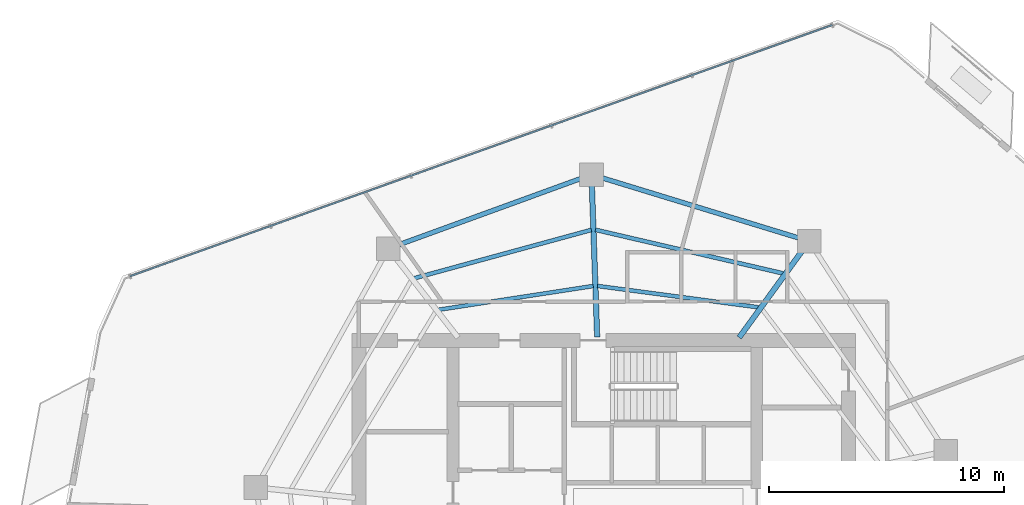
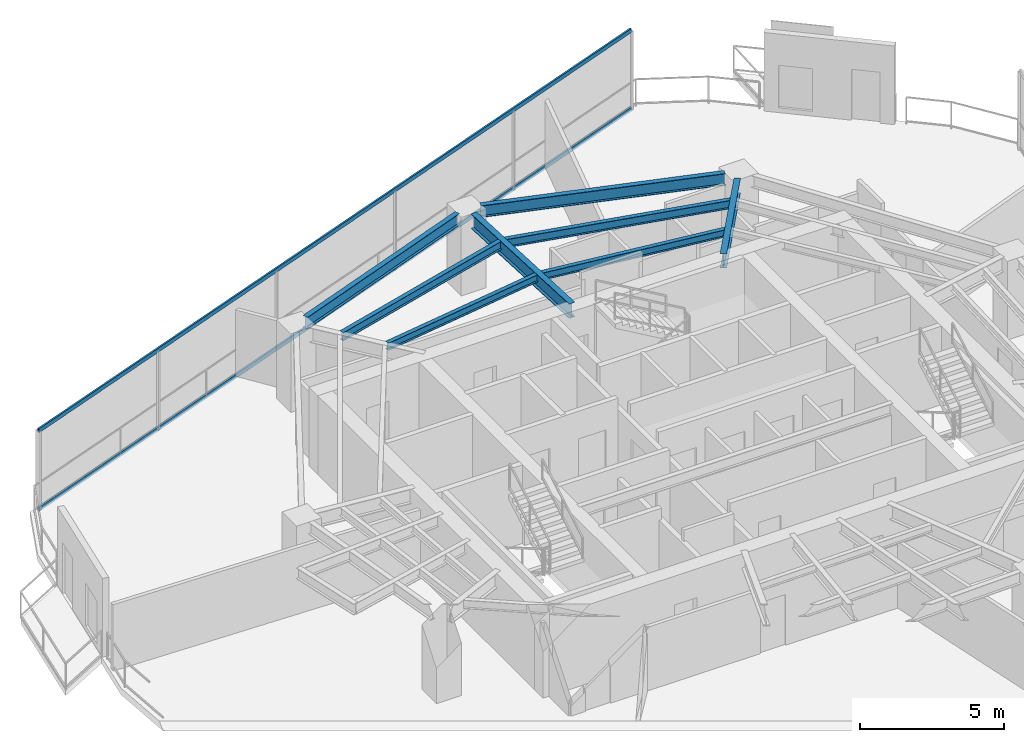
# One storey, part 13 of 21: 8 beams, 2 members, 1 element without a shape of its own.
"""IFC4 building model written with IfcOpenShell, lengths in metres."""

from ifc_helpers import new_model, si_unit, direction, frame, origin, origin_2d, place, context, subcontext, project, spatial, hollow_rectangle, i_section, extrude, material, layer, layer_set, material_profile, profile_set, type_object, element, aggregate, save


model = new_model("IFC4")

# Units and contexts
model_context = context("Model", 3, precision=1e-05, world=origin(), true_north=direction((0.0, 1.0)))
body_context = subcontext(model_context, "Body", "Model", "MODEL_VIEW")
ifc_project = project(units=[si_unit("LENGTHUNIT", "METRE"), si_unit("AREAUNIT", "SQUARE_METRE"), si_unit("VOLUMEUNIT", "CUBIC_METRE"), si_unit("PLANEANGLEUNIT", "RADIAN"), si_unit("MASSUNIT", "GRAM", prefix="KILO")], contexts=[model_context])

# Site, building, storey
site_placement = place(None, origin())
site = spatial("IfcSite", under=ifc_project, at=site_placement, CompositionType="ELEMENT")
building_placement = place(site_placement, origin())
building = spatial("IfcBuilding", under=site, at=building_placement, Name="Qarnah Convention Tower", CompositionType="ELEMENT")
storey_placement = place(building_placement, frame((0.0, 0.0, 140.10009765625)))
storey = spatial("IfcBuildingStorey", under=building, at=storey_placement, Name="L37", CompositionType="ELEMENT", Elevation=140.10009765625)

# Beams
ifc_material_1 = material(Name="Structural steel S355JR", Category="steel")
ifc_material_profile_1 = material_profile(ifc_material_1, i_section(OverallWidth=0.166015625, OverallDepth=0.31201171875, WebThickness=0.007080078125, FlangeThickness=0.010986328125, at=origin_2d()), Name="W310X45")
ifc_profile_set_1 = profile_set([ifc_material_profile_1], Name="Structural steel S355JR")
beam_type_1 = type_object("IfcBeamType", Name="BM-JST-W310", PredefinedType="JOIST", material=ifc_profile_set_1)
beam_1_placement = place(storey_placement, frame((43.7880859375, 35.60302734375, 3.163818359375), z_axis=(-0.991316211877, 0.131499688478, 0.0), x_axis=(-0.131499688478, -0.991316211877, 0.0)))
element("IfcBeam", 1, at=beam_1_placement, inside=storey, type_object=beam_type_1, Name="L37 joist BM-L37-IJST-02", PredefinedType="JOIST", context=body_context, shape_type="SweptSolid", body=[
    extrude(i_section(OverallWidth=0.166015625, OverallDepth=0.31201171875, WebThickness=0.007080078125, FlangeThickness=0.010986328125, at=origin_2d()), origin(), (0.0, 0.0, 1.0), 6.912109375),
])
beam_2_placement = place(storey_placement, frame((36.758056640625, 36.510009765625, 3.163818359375), z_axis=(-0.988429806813, -0.151678993285, 0.0), x_axis=(0.151678993285, -0.988429806813, 0.0)))
element("IfcBeam", 2, at=beam_2_placement, inside=storey, type_object=beam_type_1, Name="L37 joist BM-L37-IJST-03", PredefinedType="JOIST", context=body_context, shape_type="SweptSolid", body=[
    extrude(i_section(OverallWidth=0.166015625, OverallDepth=0.31201171875, WebThickness=0.007080078125, FlangeThickness=0.010986328125, at=origin_2d()), origin(), (0.0, 0.0, 1.0), 6.64599609375),
])
ifc_material_profile_2 = material_profile(ifc_material_1, i_section(OverallWidth=0.172119140625, OverallDepth=0.35595703125, WebThickness=0.007080078125, FlangeThickness=0.011962890625, at=origin_2d()), Name="W360X51")
ifc_profile_set_2 = profile_set([ifc_material_profile_2], Name="Structural steel S355JR")
beam_type_2 = type_object("IfcBeamType", Name="BM-JST-W360", PredefinedType="JOIST", material=ifc_profile_set_2)
beam_3_placement = place(storey_placement, frame((44.8310546875, 37.04296875, 3.141845703125), z_axis=(-0.974056627147, 0.226304412487, 0.0), x_axis=(-0.226304412487, -0.974056627147, 0.0)))
element("IfcBeam", 3, at=beam_3_placement, inside=storey, type_object=beam_type_2, Name="L37 joist BM-L37-SJST-02", PredefinedType="JOIST", context=body_context, shape_type="SweptSolid", body=[
    extrude(i_section(OverallWidth=0.172119140625, OverallDepth=0.35595703125, WebThickness=0.007080078125, FlangeThickness=0.011962890625, at=origin_2d()), origin(), (0.0, 0.0, 1.0), 8.192626953125),
])
beam_4_placement = place(storey_placement, frame((36.676025390625, 38.89306640625, 3.141845703125), z_axis=(-0.964679279523, -0.263427196127, 0.0), x_axis=(0.263427196127, -0.964679279523, 0.0)))
element("IfcBeam", 4, at=beam_4_placement, inside=storey, type_object=beam_type_2, Name="L37 joist BM-L37-SJST-03", PredefinedType="JOIST", context=body_context, shape_type="SweptSolid", body=[
    extrude(i_section(OverallWidth=0.172119140625, OverallDepth=0.35595703125, WebThickness=0.007080078125, FlangeThickness=0.011962890625, at=origin_2d()), origin(), (0.0, 0.0, 1.0), 7.8017578125),
])
ifc_material_profile_3 = material_profile(ifc_material_1, i_section(OverallWidth=0.22998046875, OverallDepth=0.617919921875, WebThickness=0.012939453125, FlangeThickness=0.02197265625, at=origin_2d()), Name="W610X140")
ifc_profile_set_3 = profile_set([ifc_material_profile_3], Name="Structural steel S355JR")
beam_type_3 = type_object("IfcBeamType", Name="BM-RAD-W610A", PredefinedType="BEAM", material=ifc_profile_set_3)
beam_5_placement = place(storey_placement, frame((42.955078125, 34.321044921875, 3.010986328125), z_axis=(0.58781027487, 0.808998813817, 0.0), x_axis=(-0.808998813817, 0.58781027487, 0.0)))
element("IfcBeam", 5, at=beam_5_placement, inside=storey, type_object=beam_type_3, Name="L37 beam BM-L37-RAD-02", PredefinedType="BEAM", context=body_context, shape_type="SweptSolid", body=[
    extrude(i_section(OverallWidth=0.22998046875, OverallDepth=0.617919921875, WebThickness=0.012939453125, FlangeThickness=0.02197265625, at=origin_2d()), origin(), (0.0, 0.0, 1.0), 4.57958984375),
])
beam_6_placement = place(storey_placement, frame((36.923095703125, 34.35009765625, 3.010986328125), z_axis=(-0.034938098977, 0.999389478252, 0.0), x_axis=(-0.999389478252, -0.034938098977, 0.0)))
element("IfcBeam", 6, at=beam_6_placement, inside=storey, type_object=beam_type_3, Name="L37 beam BM-L37-RAD-03", PredefinedType="BEAM", context=body_context, shape_type="SweptSolid", body=[
    extrude(i_section(OverallWidth=0.22998046875, OverallDepth=0.617919921875, WebThickness=0.012939453125, FlangeThickness=0.02197265625, at=origin_2d()), origin(), (0.0, 0.0, 1.0), 6.414794921875),
])
ifc_material_profile_4 = material_profile(ifc_material_1, i_section(OverallWidth=0.199951171875, OverallDepth=0.5, WebThickness=0.010009765625, FlangeThickness=0.01611328125, at=origin_2d()), Name="IPE500")
ifc_profile_set_4 = profile_set([ifc_material_profile_4], Name="Structural steel S355JR")
beam_type_4 = type_object("IfcBeamType", Name="BM-SPN-IPE500", PredefinedType="SPANDREL", material=ifc_profile_set_4)
beam_7_placement = place(storey_placement, frame((45.4599609375, 38.556884765625, 3.06982421875), z_axis=(-0.956283054976, 0.292442676035, 0.0), x_axis=(-0.292442676035, -0.956283054976, 0.0)))
element("IfcBeam", 7, at=beam_7_placement, inside=storey, type_object=beam_type_4, Name="L37 spandrel BM-L37-SPN-02", PredefinedType="SPANDREL", context=body_context, shape_type="SweptSolid", body=[
    extrude(i_section(OverallWidth=0.199951171875, OverallDepth=0.5, WebThickness=0.010009765625, FlangeThickness=0.01611328125, at=origin_2d()), origin(), (0.0, 0.0, 1.0), 8.68896484375),
])
beam_8_placement = place(storey_placement, frame((36.221923828125, 41.072998046875, 3.06982421875), z_axis=(-0.939745596534, -0.341874558567, 0.0), x_axis=(0.341874558567, -0.939745596534, 0.0)))
element("IfcBeam", 8, at=beam_8_placement, inside=storey, type_object=beam_type_4, Name="L37 spandrel BM-L37-SPN-03", PredefinedType="SPANDREL", context=body_context, shape_type="SweptSolid", body=[
    extrude(i_section(OverallWidth=0.199951171875, OverallDepth=0.5, WebThickness=0.010009765625, FlangeThickness=0.01611328125, at=origin_2d()), origin(), (0.0, 0.0, 1.0), 8.19873046875),
])

# Curtain wall, members
ifc_material_2 = material(Name="Tempered Low-E dark glass", Category="glass")
ifc_layer = layer(ifc_material_2, 0.172119140625)
ifc_layer_set = layer_set([ifc_layer], Name="Tempered Low-E dark glass")
curtain_wall_type = type_object("IfcCurtainWallType", Name="CWS-03", PredefinedType="NOTDEFINED", material=ifc_layer_set)
curtain_wall_placement = place(storey_placement, origin())
curtain_wall = element("IfcCurtainWall", 9, at=curtain_wall_placement, inside=storey, type_object=curtain_wall_type, Name="L37 unitised curtain wall CW-L37-F3", PredefinedType="NOTDEFINED")
ifc_material_3 = material(Name="Black anodised aluminium", Category="aluminium")
ifc_material_profile_5 = material_profile(ifc_material_3, hollow_rectangle(XDim=0.070068359375, YDim=0.169921875, WallThickness=0.0048828125, at=origin_2d()), Name="TRN-70X170")
ifc_profile_set_5 = profile_set([ifc_material_profile_5], Name="Black anodised aluminium")
member_type = type_object("IfcMemberType", Name="TRN-T3", PredefinedType="USERDEFINED", material=ifc_profile_set_5)
member_1_placement = place(storey_placement, frame((17.08203125, 36.925048828125, 0.0), z_axis=(0.941578609885, 0.336793291809, 0.0), x_axis=(-0.336793291809, 0.941578609885, 0.0)))
member_1 = element("IfcMember", 10, at=member_1_placement, type_object=member_type, Name="CW-L37-F3 transom 1", ObjectType="TRANSOM", PredefinedType="USERDEFINED", context=body_context, shape_type="SweptSolid", body=[
    extrude(hollow_rectangle(XDim=0.070068359375, YDim=0.169921875, WallThickness=0.0048828125, at=origin_2d()), origin(), (0.0, 0.0, 1.0), 31.680908203125),
])
member_2_placement = place(storey_placement, frame((17.08203125, 36.925048828125, 3.31982421875), z_axis=(0.941578609885, 0.336793291809, 0.0), x_axis=(-0.336793291809, 0.941578609885, 0.0)))
member_2 = element("IfcMember", 11, at=member_2_placement, type_object=member_type, Name="CW-L37-F3 transom 2", ObjectType="TRANSOM", PredefinedType="USERDEFINED", context=body_context, shape_type="SweptSolid", body=[
    extrude(hollow_rectangle(XDim=0.070068359375, YDim=0.169921875, WallThickness=0.0048828125, at=origin_2d()), origin(), (0.0, 0.0, 1.0), 31.680908203125),
])
aggregate(curtain_wall, [member_1, member_2])

save(model, "model.ifc")
